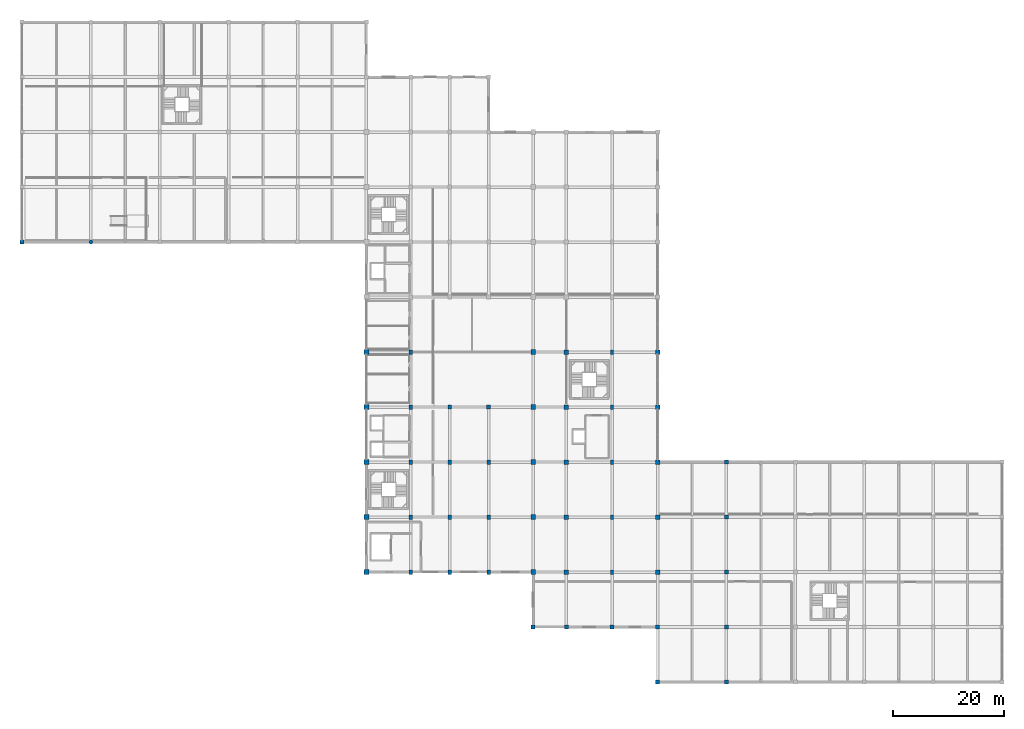
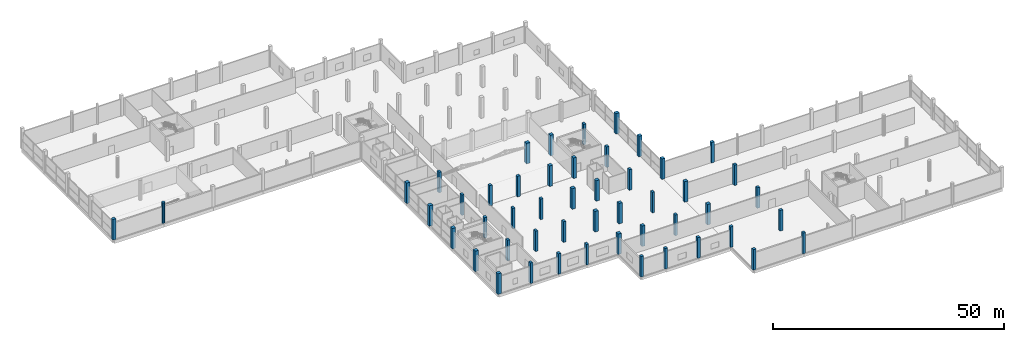
# One storey, part 1 of 72: 50 columns.
"""IFC4 building model written with IfcOpenShell, lengths in metres."""

from ifc_helpers import new_model, si_unit, direction, frame, origin, origin_2d, place, context, subcontext, project, spatial, rectangle, circle, extrude, material, material_profile, profile_set, type_object, element, save


model = new_model("IFC4")

# Units and contexts
model_context = context("Model", 3, precision=1e-05, world=origin(), true_north=direction((0.0, 1.0)))
body_context = subcontext(model_context, "Body", "Model", "MODEL_VIEW")
ifc_project = project(units=[si_unit("LENGTHUNIT", "METRE"), si_unit("AREAUNIT", "SQUARE_METRE"), si_unit("VOLUMEUNIT", "CUBIC_METRE"), si_unit("PLANEANGLEUNIT", "RADIAN"), si_unit("MASSUNIT", "GRAM", prefix="KILO")], contexts=[model_context])

# Site, building, storey
site_placement = place(None, origin())
site = spatial("IfcSite", under=ifc_project, at=site_placement, CompositionType="ELEMENT")
building_placement = place(site_placement, origin())
building = spatial("IfcBuilding", under=site, at=building_placement, Name="Sillaruma Civic Art Gallery", CompositionType="ELEMENT")
storey_placement = place(building_placement, frame((0.0, 0.0, 10.8798828125)))
storey = spatial("IfcBuildingStorey", under=building, at=storey_placement, Name="L02", CompositionType="ELEMENT", Elevation=10.8798828125)

# Columns
ifc_material = material(Name="Concrete H40 (40 MPa)", Category="concrete")
ifc_material_profile_1 = material_profile(ifc_material, rectangle(XDim=0.699951171875, YDim=0.699951171875, at=origin_2d()), Name="RC700x700")
ifc_profile_set_1 = profile_set([ifc_material_profile_1], Name="Concrete H40 (40 MPa)")
column_type_1 = type_object("IfcColumnType", Name="COL-COLUMN-RC700x700", PredefinedType="COLUMN", material=ifc_profile_set_1)
for number, where, z_axis, x_axis, name in (
    (1, (0.0, 79.199951171875, 0.0), (0.0, 0.0, 1.0), (1.0, 0.0, 0.0), "Column C-06 (L02:A9)"),
    (2, (77.0, 49.5, 0.0), (0.0, 0.0, 1.0), (1.0, 0.0, 0.0), "Column C-06 (L02:H6)"),
    (3, (84.0, 49.5, 0.0), (0.0, 0.0, 1.0), (1.0, 0.0, 0.0), "Column C-06 (L02:J6)"),
    (4, (92.0, 9.89990234375, 0.0), (0.0, 0.0, 1.0), (1.0, 0.0, 0.0), "Column C-06 (L02:K2)"),
    (5, (98.0, 9.89990234375, 0.0), (0.0, 0.0, 1.0), (1.0, 0.0, 0.0), "Column C-06 (L02:L2)"),
    (6, (106.199951171875, 9.89990234375, 0.0), (0.0, 0.0, 1.0), (1.0, 0.0, 0.0), "Column C-06 (L02:M2)"),
    (7, (114.39990234375, 0.0, 0.0), (0.0, 0.0, 1.0), (1.0, 0.0, 0.0), "Column C-06 (L02:N1)"),
    (8, (114.39990234375, 9.89990234375, 0.0), (0.0, 0.0, 1.0), (1.0, 0.0, 0.0), "Column C-06 (L02:N2)"),
    (9, (126.800048828125, 0.0, 0.0), (0.0, 0.0, 1.0), (1.0, 0.0, 0.0), "Column C-06 (L02:P1)"),
    (10, (126.800048828125, 9.89990234375, 0.0), (0.0, 0.0, 1.0), (1.0, 0.0, 0.0), "Column C-06 (L02:P2)"),
    (11, (126.800048828125, 19.800048828125, 0.0), (0.0, 0.0, 1.0), (1.0, 0.0, 0.0), "Column C-06 (L02:P3)"),
    (12, (126.800048828125, 29.699951171875, 0.0), (0.0, 0.0, 1.0), (1.0, 0.0, 0.0), "Column C-06 (L02:P4)"),
    (13, (126.800048828125, 39.60009765625, 0.0), (0.0, 0.0, 1.0), (1.0, 0.0, 0.0), "Column C-06 (L02:P5)"),
):
    element("IfcColumn", number, at=place(storey_placement, frame(where, z_axis=z_axis, x_axis=x_axis)), inside=storey, type_object=column_type_1, Name=name, PredefinedType="COLUMN", context=body_context, shape_type="SweptSolid", body=[
        extrude(rectangle(XDim=0.699951171875, YDim=0.699951171875, at=origin_2d()), origin(), (0.0, 0.0, 1.0), 5.440185546875),
    ])
ifc_material_profile_2 = material_profile(ifc_material, rectangle(XDim=0.60009765625, YDim=0.800048828125, at=origin_2d()), Name="RC800x600")
ifc_profile_set_2 = profile_set([ifc_material_profile_2], Name="Concrete H40 (40 MPa)")
column_type_2 = type_object("IfcColumnType", Name="COL-COLUMN-RC800x600", PredefinedType="COLUMN", material=ifc_profile_set_2)
for number, where, z_axis, x_axis, name in (
    (14, (70.0, 19.800048828125, 0.0), (0.0, 0.0, 1.0), (1.0, 0.0, 0.0), "Column C-10 (L02:G3)"),
    (15, (70.0, 29.699951171875, 0.0), (0.0, 0.0, 1.0), (1.0, 0.0, 0.0), "Column C-10 (L02:G4)"),
    (16, (70.0, 39.60009765625, 0.0), (0.0, 0.0, 1.0), (1.0, 0.0, 0.0), "Column C-10 (L02:G5)"),
    (17, (70.0, 49.5, 0.0), (0.0, 0.0, 1.0), (1.0, 0.0, 0.0), "Column C-10 (L02:G6)"),
    (18, (70.0, 59.39990234375, 0.0), (0.0, 0.0, 1.0), (1.0, 0.0, 0.0), "Column C-10 (L02:G7)"),
    (19, (77.0, 19.800048828125, 0.0), (0.0, 0.0, 1.0), (1.0, 0.0, 0.0), "Column C-10 (L02:H3)"),
    (20, (77.0, 29.699951171875, 0.0), (0.0, 0.0, 1.0), (1.0, 0.0, 0.0), "Column C-10 (L02:H4)"),
    (21, (77.0, 39.60009765625, 0.0), (0.0, 0.0, 1.0), (1.0, 0.0, 0.0), "Column C-10 (L02:H5)"),
    (22, (84.0, 19.800048828125, 0.0), (0.0, 0.0, 1.0), (1.0, 0.0, 0.0), "Column C-10 (L02:J3)"),
    (23, (84.0, 29.699951171875, 0.0), (0.0, 0.0, 1.0), (1.0, 0.0, 0.0), "Column C-10 (L02:J4)"),
    (24, (84.0, 39.60009765625, 0.0), (0.0, 0.0, 1.0), (1.0, 0.0, 0.0), "Column C-10 (L02:J5)"),
    (25, (106.199951171875, 19.800048828125, 0.0), (0.0, 0.0, 1.0), (1.0, 0.0, 0.0), "Column C-10 (L02:M3)"),
    (26, (106.199951171875, 29.699951171875, 0.0), (0.0, 0.0, 1.0), (1.0, 0.0, 0.0), "Column C-10 (L02:M4)"),
    (27, (106.199951171875, 39.60009765625, 0.0), (0.0, 0.0, 1.0), (1.0, 0.0, 0.0), "Column C-10 (L02:M5)"),
    (28, (106.199951171875, 49.5, 0.0), (0.0, 0.0, 1.0), (1.0, 0.0, 0.0), "Column C-10 (L02:M6)"),
    (29, (106.199951171875, 59.39990234375, 0.0), (0.0, 0.0, 1.0), (1.0, 0.0, 0.0), "Column C-10 (L02:M7)"),
):
    element("IfcColumn", number, at=place(storey_placement, frame(where, z_axis=z_axis, x_axis=x_axis)), inside=storey, type_object=column_type_2, Name=name, PredefinedType="COLUMN", context=body_context, shape_type="SweptSolid", body=[
        extrude(rectangle(XDim=0.60009765625, YDim=0.800048828125, at=origin_2d()), origin(), (0.0, 0.0, 1.0), 5.440185546875),
    ])
ifc_material_profile_3 = material_profile(ifc_material, rectangle(XDim=0.800048828125, YDim=0.800048828125, at=origin_2d()), Name="RC800x800")
ifc_profile_set_3 = profile_set([ifc_material_profile_3], Name="Concrete H40 (40 MPa)")
column_type_3 = type_object("IfcColumnType", Name="COL-COLUMN-RC800x800", PredefinedType="COLUMN", material=ifc_profile_set_3)
for number, where, z_axis, x_axis, name in (
    (30, (98.0, 19.800048828125, 0.0), (0.0, 0.0, 1.0), (1.0, 0.0, 0.0), "Column C-04 (L02:L3)"),
    (31, (98.0, 29.699951171875, 0.0), (0.0, 0.0, 1.0), (1.0, 0.0, 0.0), "Column C-04 (L02:L4)"),
    (32, (98.0, 39.60009765625, 0.0), (0.0, 0.0, 1.0), (1.0, 0.0, 0.0), "Column C-04 (L02:L5)"),
    (33, (98.0, 49.5, 0.0), (0.0, 0.0, 1.0), (1.0, 0.0, 0.0), "Column C-04 (L02:L6)"),
    (34, (98.0, 59.39990234375, 0.0), (0.0, 0.0, 1.0), (1.0, 0.0, 0.0), "Column C-04 (L02:L7)"),
    (35, (114.39990234375, 19.800048828125, 0.0), (0.0, 0.0, 1.0), (1.0, 0.0, 0.0), "Column C-04 (L02:N3)"),
    (36, (114.39990234375, 29.699951171875, 0.0), (0.0, 0.0, 1.0), (1.0, 0.0, 0.0), "Column C-04 (L02:N4)"),
    (37, (114.39990234375, 39.60009765625, 0.0), (0.0, 0.0, 1.0), (1.0, 0.0, 0.0), "Column C-04 (L02:N5)"),
    (38, (114.39990234375, 49.5, 0.0), (0.0, 0.0, 1.0), (1.0, 0.0, 0.0), "Column C-04 (L02:N6)"),
    (39, (114.39990234375, 59.39990234375, 0.0), (0.0, 0.0, 1.0), (1.0, 0.0, 0.0), "Column C-04 (L02:N7)"),
):
    element("IfcColumn", number, at=place(storey_placement, frame(where, z_axis=z_axis, x_axis=x_axis)), inside=storey, type_object=column_type_3, Name=name, PredefinedType="COLUMN", context=body_context, shape_type="SweptSolid", body=[
        extrude(rectangle(XDim=0.800048828125, YDim=0.800048828125, at=origin_2d()), origin(), (0.0, 0.0, 1.0), 5.440185546875),
    ])
ifc_material_profile_4 = material_profile(ifc_material, rectangle(XDim=0.85009765625, YDim=0.85009765625, at=origin_2d()), Name="RC850x850")
ifc_profile_set_4 = profile_set([ifc_material_profile_4], Name="Concrete H40 (40 MPa)")
column_type_4 = type_object("IfcColumnType", Name="COL-COLUMN-RC850x850", PredefinedType="COLUMN", material=ifc_profile_set_4)
for number, where, z_axis, x_axis, name in (
    (40, (62.0, 19.800048828125, 0.0), (0.0, 0.0, 1.0), (1.0, 0.0, 0.0), "Column C-03 (L02:F3)"),
    (41, (62.0, 29.699951171875, 0.0), (0.0, 0.0, 1.0), (1.0, 0.0, 0.0), "Column C-03 (L02:F4)"),
    (42, (62.0, 39.60009765625, 0.0), (0.0, 0.0, 1.0), (1.0, 0.0, 0.0), "Column C-03 (L02:F5)"),
    (43, (62.0, 49.5, 0.0), (0.0, 0.0, 1.0), (1.0, 0.0, 0.0), "Column C-03 (L02:F6)"),
    (44, (62.0, 59.39990234375, 0.0), (0.0, 0.0, 1.0), (1.0, 0.0, 0.0), "Column C-03 (L02:F7)"),
    (45, (92.0, 19.800048828125, 0.0), (0.0, 0.0, 1.0), (1.0, 0.0, 0.0), "Column C-03 (L02:K3)"),
    (46, (92.0, 29.699951171875, 0.0), (0.0, 0.0, 1.0), (1.0, 0.0, 0.0), "Column C-03 (L02:K4)"),
    (47, (92.0, 39.60009765625, 0.0), (0.0, 0.0, 1.0), (1.0, 0.0, 0.0), "Column C-03 (L02:K5)"),
    (48, (92.0, 49.5, 0.0), (0.0, 0.0, 1.0), (1.0, 0.0, 0.0), "Column C-03 (L02:K6)"),
    (49, (92.0, 59.39990234375, 0.0), (0.0, 0.0, 1.0), (1.0, 0.0, 0.0), "Column C-03 (L02:K7)"),
):
    element("IfcColumn", number, at=place(storey_placement, frame(where, z_axis=z_axis, x_axis=x_axis)), inside=storey, type_object=column_type_4, Name=name, PredefinedType="COLUMN", context=body_context, shape_type="SweptSolid", body=[
        extrude(rectangle(XDim=0.85009765625, YDim=0.85009765625, at=origin_2d()), origin(), (0.0, 0.0, 1.0), 5.440185546875),
    ])
ifc_material_profile_5 = material_profile(ifc_material, circle(Radius=0.360107421875, at=origin_2d()), Name="RCC720")
ifc_profile_set_5 = profile_set([ifc_material_profile_5], Name="Concrete H40 (40 MPa)")
column_type_5 = type_object("IfcColumnType", Name="COL-COLUMN-RCC720", PredefinedType="COLUMN", material=ifc_profile_set_5)
column_placement = place(storey_placement, frame((12.39990234375, 79.199951171875, 0.0), z_axis=(0.0, 0.0, 1.0), x_axis=(1.0, 0.0, 0.0)))
element("IfcColumn", 50, at=column_placement, inside=storey, type_object=column_type_5, Name="Column CC-02 (L02:B9)", PredefinedType="COLUMN", context=body_context, shape_type="SweptSolid", body=[
    extrude(circle(Radius=0.360107421875, at=origin_2d()), origin(), (0.0, 0.0, 1.0), 5.440185546875),
])

save(model, "model.ifc")
